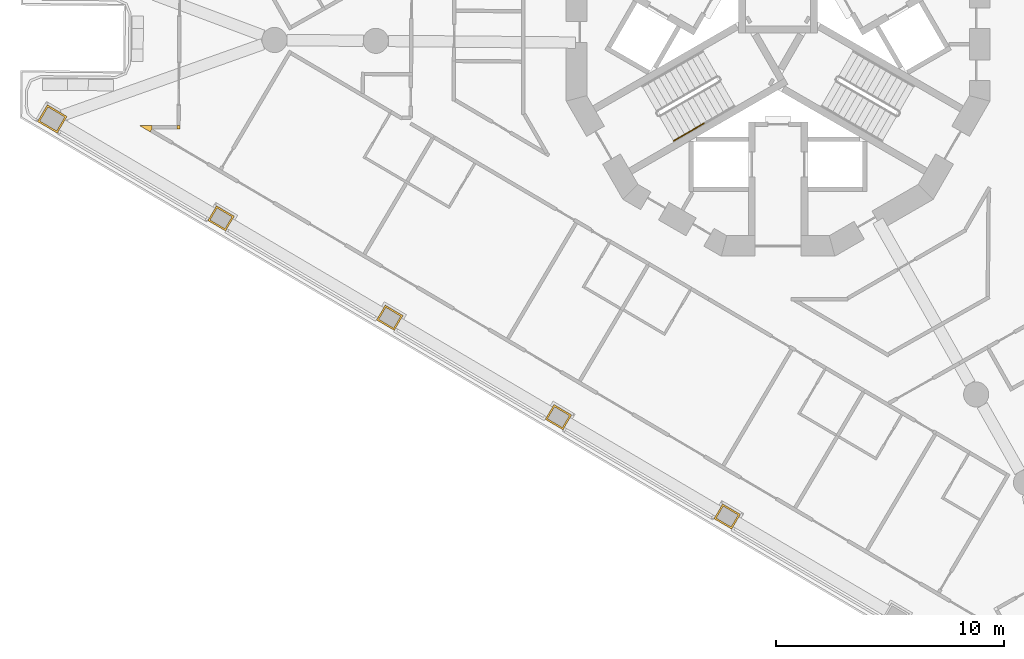
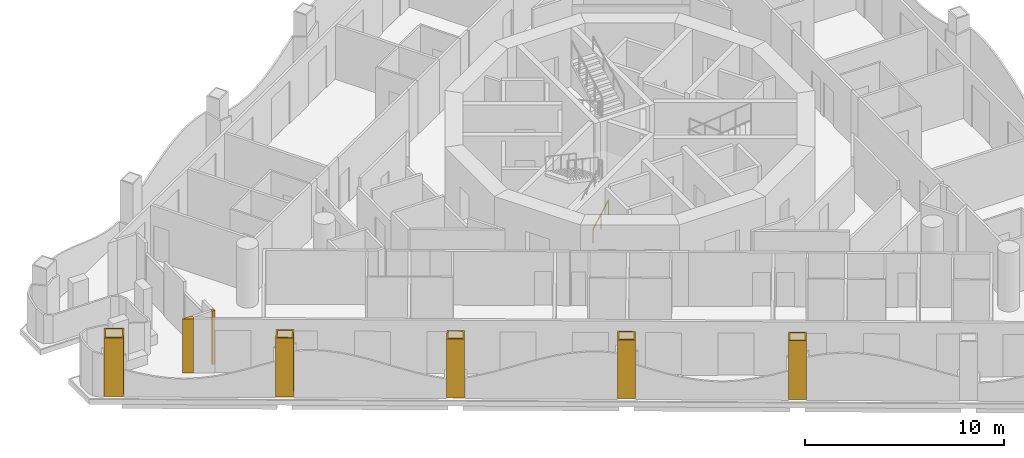
# One storey, part 11 of 17: 7 coverings, 1 railing.
"""IFC4 building model written with IfcOpenShell, lengths in metres."""

from ifc_helpers import new_model, si_unit, direction, frame, origin, origin_2d, place, context, subcontext, project, spatial, polyline, circle, outline, extrude, material, layer, layer_set, type_object, element, save


model = new_model("IFC4")

# Units and contexts
model_context = context("Model", 3, precision=1e-05, world=origin(), true_north=direction((0.0, 1.0)))
body_context = subcontext(model_context, "Body", "Model", "MODEL_VIEW")
ifc_project = project(units=[si_unit("LENGTHUNIT", "METRE"), si_unit("AREAUNIT", "SQUARE_METRE"), si_unit("VOLUMEUNIT", "CUBIC_METRE"), si_unit("PLANEANGLEUNIT", "RADIAN"), si_unit("MASSUNIT", "GRAM", prefix="KILO")], contexts=[model_context])

# Site, building, storey
site_placement = place(None, origin())
site = spatial("IfcSite", under=ifc_project, at=site_placement, CompositionType="ELEMENT")
building_placement = place(site_placement, origin())
building = spatial("IfcBuilding", under=site, at=building_placement, Name="Trine Commons Tower", CompositionType="ELEMENT")
storey_placement = place(building_placement, frame((0.0, 0.0, 168.300048828125)))
storey = spatial("IfcBuildingStorey", under=building, at=storey_placement, Name="L43", CompositionType="ELEMENT", Elevation=168.300048828125)

# Coverings
ifc_material_1 = material(Name="Aluminium-framed insulated wall panel", Category="aluminium")
ifc_layer_1 = layer(ifc_material_1, 0.14990234375)
ifc_layer_set_1 = layer_set([ifc_layer_1], Name="Aluminium-framed insulated wall panel")
covering_type_1 = type_object("IfcCoveringType", Name="Glazing corner post, aluminium", PredefinedType="CLADDING", material=ifc_layer_set_1)
covering_1_placement = place(storey_placement, origin())
element("IfcCovering", 1, at=covering_1_placement, inside=storey, type_object=covering_type_1, Name="Glazing corner post 5-01", PredefinedType="CLADDING", context=body_context, shape_type="SweptSolid", body=[
    extrude(outline(polyline([(52.519775390625, 58.669921875), (52.595947265625, 58.799072265625), (52.59716796875, 58.948974609375), (52.037353515625, 58.953857421875), (52.519775390625, 58.669921875)])), origin(), (0.0, 0.0, 1.0), 3.300048828125),
])
covering_2_placement = place(storey_placement, origin())
element("IfcCovering", 2, at=covering_2_placement, inside=storey, type_object=covering_type_1, Name="Glazing corner post 5-02", PredefinedType="CLADDING", context=body_context, shape_type="SweptSolid", body=[
    extrude(outline(polyline([(53.681640625, 58.78955078125), (53.83154296875, 58.7880859375), (53.8330078125, 58.938232421875), (53.682861328125, 58.939453125), (53.681640625, 58.78955078125)])), origin(), (0.0, 0.0, 1.0), 3.300048828125),
])
ifc_material_2 = material(Name="Limestone, honed", Category="masonry")
ifc_layer_2 = layer(ifc_material_2, 0.074951171875)
ifc_layer_set_2 = layer_set([ifc_layer_2], Name="Limestone, honed")
covering_type_2 = type_object("IfcCoveringType", Name="Limestone column cladding 75", PredefinedType="CLADDING", material=ifc_layer_set_2)
covering_3_placement = place(storey_placement, origin())
element("IfcCovering", 3, at=covering_3_placement, inside=storey, type_object=covering_type_2, Name="Limestone pier cladding 5-03", PredefinedType="CLADDING", context=body_context, shape_type="SweptSolid", body=[
    extrude(outline(polyline([(77.57568359375, 42.384521484375), (77.195068359375, 41.73828125), (77.970703125, 41.281494140625), (78.351318359375, 41.927734375), (77.57568359375, 42.384521484375)]), holes=[polyline([(77.602294921875, 42.28173828125), (77.2978515625, 41.764892578125), (77.944091796875, 41.38427734375), (78.24853515625, 41.901123046875), (77.602294921875, 42.28173828125)])]), origin(), (0.0, 0.0, 1.0), 3.599853515625),
])
covering_4_placement = place(storey_placement, origin())
element("IfcCovering", 4, at=covering_4_placement, inside=storey, type_object=covering_type_2, Name="Limestone pier cladding 5-04", PredefinedType="CLADDING", context=body_context, shape_type="SweptSolid", body=[
    extrude(outline(polyline([(70.191162109375, 46.734375), (69.810302734375, 46.088134765625), (70.5859375, 45.63134765625), (70.966552734375, 46.277587890625), (70.191162109375, 46.734375)]), holes=[polyline([(70.2177734375, 46.631591796875), (69.9130859375, 46.11474609375), (70.559326171875, 45.734130859375), (70.864013671875, 46.251220703125), (70.2177734375, 46.631591796875)])]), origin(), (0.0, 0.0, 1.0), 3.599853515625),
])
covering_5_placement = place(storey_placement, origin())
element("IfcCovering", 5, at=covering_5_placement, inside=storey, type_object=covering_type_2, Name="Limestone pier cladding 5-05", PredefinedType="CLADDING", context=body_context, shape_type="SweptSolid", body=[
    extrude(outline(polyline([(62.806396484375, 51.084228515625), (62.42578125, 50.43798828125), (63.201171875, 49.981201171875), (63.581787109375, 50.62744140625), (62.806396484375, 51.084228515625)]), holes=[polyline([(62.8330078125, 50.981689453125), (62.5283203125, 50.464599609375), (63.174560546875, 50.083984375), (63.479248046875, 50.60107421875), (62.8330078125, 50.981689453125)])]), origin(), (0.0, 0.0, 1.0), 3.599853515625),
])
covering_6_placement = place(storey_placement, origin())
element("IfcCovering", 6, at=covering_6_placement, inside=storey, type_object=covering_type_2, Name="Limestone pier cladding 5-06", PredefinedType="CLADDING", context=body_context, shape_type="SweptSolid", body=[
    extrude(outline(polyline([(55.421630859375, 55.43408203125), (55.041015625, 54.7880859375), (55.81640625, 54.331298828125), (56.197265625, 54.977294921875), (55.421630859375, 55.43408203125)]), holes=[polyline([(55.4482421875, 55.33154296875), (55.143798828125, 54.814453125), (55.789794921875, 54.433837890625), (56.094482421875, 54.950927734375), (55.4482421875, 55.33154296875)])]), origin(), (0.0, 0.0, 1.0), 3.599853515625),
])
covering_7_placement = place(storey_placement, origin())
element("IfcCovering", 7, at=covering_7_placement, inside=storey, type_object=covering_type_2, Name="Limestone pier cladding 5-07", PredefinedType="CLADDING", context=body_context, shape_type="SweptSolid", body=[
    extrude(outline(polyline([(48.019287109375, 59.8525390625), (47.587890625, 59.1201171875), (48.449462890625, 58.612548828125), (48.880859375, 59.344970703125), (48.019287109375, 59.8525390625)]), holes=[polyline([(48.0458984375, 59.75), (47.690673828125, 59.146728515625), (48.423095703125, 58.71533203125), (48.7783203125, 59.318603515625), (48.0458984375, 59.75)])]), origin(), (0.0, 0.0, 1.0), 3.599853515625),
])

# Railing
ifc_material_3 = material(Name="Stainless steel handrail", Category="steel")
railing_type = type_object("IfcRailingType", Name="Stair handrail, steel 900", PredefinedType="HANDRAIL", material=ifc_material_3)
railing_placement = place(storey_placement, frame((75.43017578125, 58.27392578125, 0.14990234375)))
element("IfcRailing", 8, at=railing_placement, inside=storey, type_object=railing_type, Name="L43 ST2B stair handrail 1", PredefinedType="HANDRAIL", context=body_context, shape_type="SweptSolid", body=[
    extrude(circle(Radius=0.02099609375, at=origin_2d()), frame((0.0, 0.0, 0.87890625), z_axis=(0.76340495495, 0.440743040072, 0.472184759798), x_axis=(-0.499992328818, 0.866029832698, 0.0)), (0.0, 0.0, 1.0), 1.7470703125),
    extrude(circle(Radius=0.01513671875, at=origin_2d()), origin(), (0.0, 0.0, 1.0), 0.85791015625),
    extrude(circle(Radius=0.01513671875, at=origin_2d()), frame((0.6669921875, 0.385009765625, 0.41259765625)), (0.0, 0.0, 1.0), 0.85791015625),
    extrude(circle(Radius=0.01513671875, at=origin_2d()), frame((1.333740234375, 0.77001953125, 0.824951171875)), (0.0, 0.0, 1.0), 0.85791015625),
])

save(model, "model.ifc")
